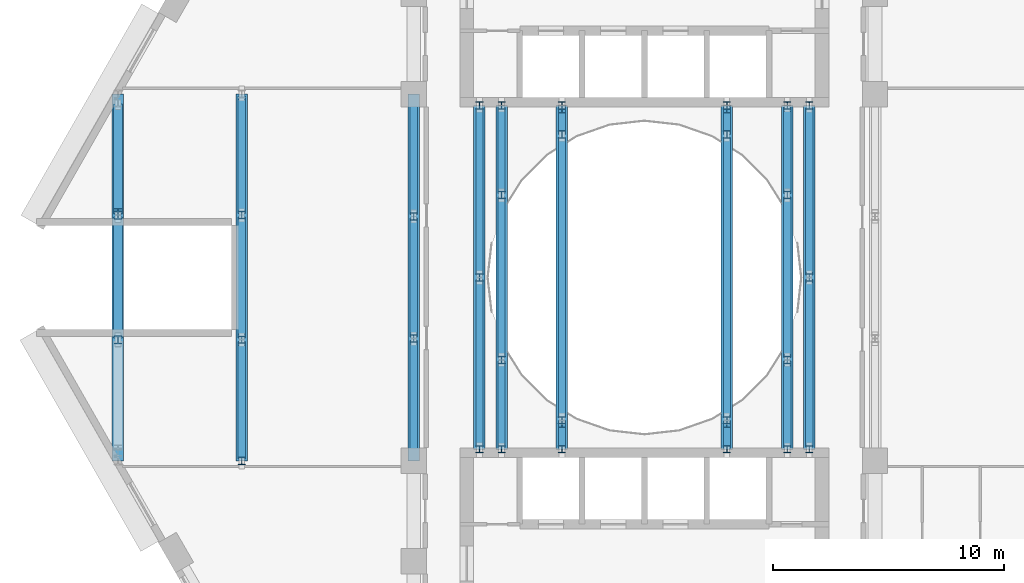
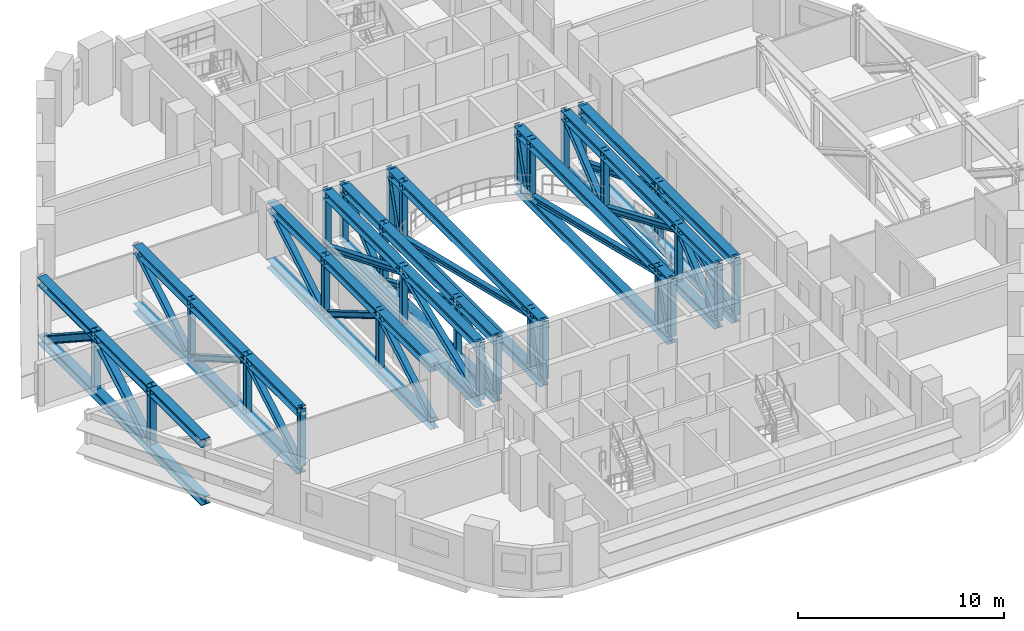
# One storey, part 2 of 18: 71 members.
"""IFC4 building model written with IfcOpenShell, lengths in metres."""

from ifc_helpers import new_model, si_unit, direction, frame, origin, origin_2d, place, context, subcontext, project, spatial, i_section, extrude, material, material_profile, profile_set, type_object, element, save


model = new_model("IFC4")

# Units and contexts
model_context = context("Model", 3, precision=1e-05, world=origin(), true_north=direction((0.0, 1.0)))
body_context = subcontext(model_context, "Body", "Model", "MODEL_VIEW")
ifc_project = project(units=[si_unit("LENGTHUNIT", "METRE"), si_unit("AREAUNIT", "SQUARE_METRE"), si_unit("VOLUMEUNIT", "CUBIC_METRE"), si_unit("PLANEANGLEUNIT", "RADIAN"), si_unit("MASSUNIT", "GRAM", prefix="KILO")], contexts=[model_context])

# Site, building, storey
site_placement = place(None, origin())
site = spatial("IfcSite", under=ifc_project, at=site_placement, CompositionType="ELEMENT")
building_placement = place(site_placement, origin())
building = spatial("IfcBuilding", under=site, at=building_placement, Name="Nakaniwa Court", CompositionType="ELEMENT")
storey_placement = place(building_placement, frame((0.0, 0.0, 38.10009765625)))
storey = spatial("IfcBuildingStorey", under=building, at=storey_placement, Name="L09", CompositionType="ELEMENT", Elevation=38.10009765625)

# Members
ifc_material = material(Name="Steel Grade 350", Category="steel")
ifc_material_profile_1 = material_profile(ifc_material, i_section(OverallWidth=0.5, OverallDepth=0.489990234375, WebThickness=0.02001953125, FlangeThickness=0.02001953125, at=origin_2d()), Name="500WC228")
ifc_profile_set_1 = profile_set([ifc_material_profile_1], Name="Steel Grade 350")
member_type_1 = type_object("IfcMemberType", Name="TRANSFER chord 500 WC228", PredefinedType="CHORD", material=ifc_profile_set_1)
for number, where, z_axis, x_axis, name in (
    (1, (62.5419921875, 72.050048828125, -0.64501953125), (0.0, 1.0, 0.0), (-1.0, 0.0, 0.0), "TRANSFER CHORD TT-02-B"),
    (2, (62.5419921875, 72.050048828125, 2.77978515625), (0.0, 1.0, 0.0), (-1.0, 0.0, 0.0), "TRANSFER CHORD TT-02-T"),
    (3, (70.0, 72.050048828125, -0.64501953125), (0.0, 1.0, 0.0), (-1.0, 0.0, 0.0), "TRANSFER CHORD TT-03-B"),
    (4, (70.0, 72.050048828125, 2.77978515625), (0.0, 1.0, 0.0), (-1.0, 0.0, 0.0), "TRANSFER CHORD TT-03-T"),
):
    element("IfcMember", number, at=place(storey_placement, frame(where, z_axis=z_axis, x_axis=x_axis)), inside=storey, type_object=member_type_1, Name=name, PredefinedType="CHORD", context=body_context, shape_type="SweptSolid", body=[
        extrude(i_section(OverallWidth=0.5, OverallDepth=0.489990234375, WebThickness=0.02001953125, FlangeThickness=0.02001953125, at=origin_2d()), origin(), (0.0, 0.0, 1.0), 15.89990234375),
    ])
for number, where, z_axis, x_axis, name in (
    (5, (72.85009765625, 72.550048828125, -0.64501953125), (0.0, 1.0, 0.0), (-1.0, 0.0, 0.0), "TRANSFER CHORD TT-04-B"),
    (6, (72.85009765625, 72.550048828125, 2.77978515625), (0.0, 1.0, 0.0), (-1.0, 0.0, 0.0), "TRANSFER CHORD TT-04-T"),
    (7, (73.807861328125, 72.550048828125, -0.64501953125), (0.0, 1.0, 0.0), (-1.0, 0.0, 0.0), "TRANSFER CHORD TT-05-B"),
    (8, (73.807861328125, 72.550048828125, 2.77978515625), (0.0, 1.0, 0.0), (-1.0, 0.0, 0.0), "TRANSFER CHORD TT-05-T"),
    (9, (76.425048828125, 72.550048828125, -0.64501953125), (0.0, 1.0, 0.0), (-1.0, 0.0, 0.0), "TRANSFER CHORD TT-06-B"),
    (10, (76.425048828125, 72.550048828125, 2.77978515625), (0.0, 1.0, 0.0), (-1.0, 0.0, 0.0), "TRANSFER CHORD TT-06-T"),
    (11, (83.574951171875, 72.550048828125, -0.64501953125), (0.0, 1.0, 0.0), (-1.0, 0.0, 0.0), "TRANSFER CHORD TT-07-B"),
    (12, (83.574951171875, 72.550048828125, 2.77978515625), (0.0, 1.0, 0.0), (-1.0, 0.0, 0.0), "TRANSFER CHORD TT-07-T"),
    (13, (86.192138671875, 72.550048828125, -0.64501953125), (0.0, 1.0, 0.0), (-1.0, 0.0, 0.0), "TRANSFER CHORD TT-08-B"),
    (14, (86.192138671875, 72.550048828125, 2.77978515625), (0.0, 1.0, 0.0), (-1.0, 0.0, 0.0), "TRANSFER CHORD TT-08-T"),
    (15, (87.14990234375, 72.550048828125, -0.64501953125), (0.0, 1.0, 0.0), (-1.0, 0.0, 0.0), "TRANSFER CHORD TT-09-B"),
    (16, (87.14990234375, 72.550048828125, 2.77978515625), (0.0, 1.0, 0.0), (-1.0, 0.0, 0.0), "TRANSFER CHORD TT-09-T"),
):
    element("IfcMember", number, at=place(storey_placement, frame(where, z_axis=z_axis, x_axis=x_axis)), inside=storey, type_object=member_type_1, Name=name, PredefinedType="CHORD", context=body_context, shape_type="SweptSolid", body=[
        extrude(i_section(OverallWidth=0.5, OverallDepth=0.489990234375, WebThickness=0.02001953125, FlangeThickness=0.02001953125, at=origin_2d()), origin(), (0.0, 0.0, 1.0), 14.89990234375),
    ])
ifc_material_profile_2 = material_profile(ifc_material, i_section(OverallWidth=0.5, OverallDepth=0.47998046875, WebThickness=0.0400390625, FlangeThickness=0.0400390625, at=origin_2d()), Name="500WC440")
ifc_profile_set_2 = profile_set([ifc_material_profile_2], Name="Steel Grade 350")
member_type_2 = type_object("IfcMemberType", Name="TRANSFER chord 500 WC440", PredefinedType="CHORD", material=ifc_profile_set_2)
for number, where, z_axis, x_axis, name in (
    (17, (57.177001953125, 72.050048828125, -0.64013671875), (0.0, 1.0, 0.0), (-1.0, 0.0, 0.0), "TRANSFER CHORD TT-01-B"),
    (18, (57.177001953125, 72.050048828125, 2.784912109375), (0.0, 1.0, 0.0), (-1.0, 0.0, 0.0), "TRANSFER CHORD TT-01-T"),
):
    element("IfcMember", number, at=place(storey_placement, frame(where, z_axis=z_axis, x_axis=x_axis)), inside=storey, type_object=member_type_2, Name=name, PredefinedType="CHORD", context=body_context, shape_type="SweptSolid", body=[
        extrude(i_section(OverallWidth=0.5, OverallDepth=0.47998046875, WebThickness=0.0400390625, FlangeThickness=0.0400390625, at=origin_2d()), origin(), (0.0, 0.0, 1.0), 15.89990234375),
    ])
ifc_material_profile_3 = material_profile(ifc_material, i_section(OverallWidth=0.31103515625, OverallDepth=0.326904296875, WebThickness=0.015625, FlangeThickness=0.02490234375, FilletRadius=0.0166015625, at=origin_2d()), Name="310UC158")
ifc_profile_set_3 = profile_set([ifc_material_profile_3], Name="Steel Grade 350")
member_type_3 = type_object("IfcMemberType", Name="TRANSFER diagonal 310 UC158", PredefinedType="BRACE", material=ifc_profile_set_3)
member_1_placement = place(storey_placement, frame((62.5419921875, 72.21044921875, -0.400146484375), z_axis=(0.0, 0.859204246042, 0.511632742876), x_axis=(-1.0, 0.0, 0.0)))
element("IfcMember", 19, at=member_1_placement, inside=storey, type_object=member_type_3, Name="TRANSFER DIAGONAL TT-02-D1", PredefinedType="BRACE", context=body_context, shape_type="SweptSolid", body=[
    extrude(i_section(OverallWidth=0.31103515625, OverallDepth=0.326904296875, WebThickness=0.015625, FlangeThickness=0.02490234375, FilletRadius=0.0166015625, at=origin_2d()), origin(), (0.0, 0.0, 1.0), 5.736572265625),
])
member_2_placement = place(storey_placement, frame((62.5419921875, 77.46044921875, 2.534912109375), z_axis=(0.0, 0.865830617694, -0.500337227741), x_axis=(-1.0, 0.0, 0.0)))
element("IfcMember", 20, at=member_2_placement, inside=storey, type_object=member_type_3, Name="TRANSFER DIAGONAL TT-02-D2", PredefinedType="BRACE", context=body_context, shape_type="SweptSolid", body=[
    extrude(i_section(OverallWidth=0.31103515625, OverallDepth=0.326904296875, WebThickness=0.015625, FlangeThickness=0.02490234375, FilletRadius=0.0166015625, at=origin_2d()), origin(), (0.0, 0.0, 1.0), 5.8662109375),
])
member_3_placement = place(storey_placement, frame((62.5419921875, 82.860595703125, -0.400146484375), z_axis=(0.0, 0.859204246042, 0.511632742876), x_axis=(-1.0, 0.0, 0.0)))
element("IfcMember", 21, at=member_3_placement, inside=storey, type_object=member_type_3, Name="TRANSFER DIAGONAL TT-02-D3", PredefinedType="BRACE", context=body_context, shape_type="SweptSolid", body=[
    extrude(i_section(OverallWidth=0.31103515625, OverallDepth=0.326904296875, WebThickness=0.015625, FlangeThickness=0.02490234375, FilletRadius=0.0166015625, at=origin_2d()), origin(), (0.0, 0.0, 1.0), 5.736572265625),
])
for number, where, z_axis, x_axis, name in (
    (22, (70.0, 72.21044921875, -0.400146484375), (0.0, 0.861462568117, 0.507821074527), (-1.0, 0.0, 0.0), "TRANSFER DIAGONAL TT-03-D1"),
    (23, (70.0, 77.510498046875, 2.534912109375), (0.0, 0.861462568117, -0.507821074527), (-1.0, 0.0, 0.0), "TRANSFER DIAGONAL TT-03-D2"),
    (24, (70.0, 82.810546875, -0.400146484375), (0.0, 0.861462568117, 0.507821074527), (-1.0, 0.0, 0.0), "TRANSFER DIAGONAL TT-03-D3"),
):
    element("IfcMember", number, at=place(storey_placement, frame(where, z_axis=z_axis, x_axis=x_axis)), inside=storey, type_object=member_type_3, Name=name, PredefinedType="BRACE", context=body_context, shape_type="SweptSolid", body=[
        extrude(i_section(OverallWidth=0.31103515625, OverallDepth=0.326904296875, WebThickness=0.015625, FlangeThickness=0.02490234375, FilletRadius=0.0166015625, at=origin_2d()), origin(), (0.0, 0.0, 1.0), 5.77978515625),
    ])
for number, where, z_axis, x_axis, name in (
    (25, (72.85009765625, 72.71044921875, -0.400146484375), (0.0, 0.924699739026, 0.380697245388), (-1.0, 0.0, 0.0), "TRANSFER DIAGONAL TT-04-D1"),
    (26, (72.85009765625, 80.160400390625, 2.534912109375), (0.0, 0.924699739026, -0.380697245388), (-1.0, 0.0, 0.0), "TRANSFER DIAGONAL TT-04-D2"),
):
    element("IfcMember", number, at=place(storey_placement, frame(where, z_axis=z_axis, x_axis=x_axis)), inside=storey, type_object=member_type_3, Name=name, PredefinedType="BRACE", context=body_context, shape_type="SweptSolid", body=[
        extrude(i_section(OverallWidth=0.31103515625, OverallDepth=0.326904296875, WebThickness=0.015625, FlangeThickness=0.02490234375, FilletRadius=0.0166015625, at=origin_2d()), origin(), (0.0, 0.0, 1.0), 7.709716796875),
    ])
member_4_placement = place(storey_placement, frame((73.807861328125, 72.71044921875, -0.400146484375), z_axis=(0.0, 0.771048813574, 0.636776041546), x_axis=(-1.0, 0.0, 0.0)))
element("IfcMember", 27, at=member_4_placement, inside=storey, type_object=member_type_3, Name="TRANSFER DIAGONAL TT-05-D1", PredefinedType="BRACE", context=body_context, shape_type="SweptSolid", body=[
    extrude(i_section(OverallWidth=0.31103515625, OverallDepth=0.326904296875, WebThickness=0.015625, FlangeThickness=0.02490234375, FilletRadius=0.0166015625, at=origin_2d()), origin(), (0.0, 0.0, 1.0), 4.609130859375),
])
member_5_placement = place(storey_placement, frame((73.807861328125, 76.58544921875, 2.534912109375), z_axis=(0.0, 0.918740212605, -0.394862535247), x_axis=(-1.0, 0.0, 0.0)))
element("IfcMember", 28, at=member_5_placement, inside=storey, type_object=member_type_3, Name="TRANSFER DIAGONAL TT-05-D2", PredefinedType="BRACE", context=body_context, shape_type="SweptSolid", body=[
    extrude(i_section(OverallWidth=0.31103515625, OverallDepth=0.326904296875, WebThickness=0.015625, FlangeThickness=0.02490234375, FilletRadius=0.0166015625, at=origin_2d()), origin(), (0.0, 0.0, 1.0), 7.43310546875),
])
member_6_placement = place(storey_placement, frame((73.807861328125, 83.735595703125, -0.400146484375), z_axis=(0.0, 0.771048813574, 0.636776041546), x_axis=(-1.0, 0.0, 0.0)))
element("IfcMember", 29, at=member_6_placement, inside=storey, type_object=member_type_3, Name="TRANSFER DIAGONAL TT-05-D3", PredefinedType="BRACE", context=body_context, shape_type="SweptSolid", body=[
    extrude(i_section(OverallWidth=0.31103515625, OverallDepth=0.326904296875, WebThickness=0.015625, FlangeThickness=0.02490234375, FilletRadius=0.0166015625, at=origin_2d()), origin(), (0.0, 0.0, 1.0), 4.609130859375),
])
member_7_placement = place(storey_placement, frame((76.425048828125, 72.71044921875, -0.400146484375), z_axis=(0.0, 0.304125859317, 0.952631860529), x_axis=(-1.0, 0.0, 0.0)))
element("IfcMember", 30, at=member_7_placement, inside=storey, type_object=member_type_3, Name="TRANSFER DIAGONAL TT-06-D1", PredefinedType="BRACE", context=body_context, shape_type="SweptSolid", body=[
    extrude(i_section(OverallWidth=0.31103515625, OverallDepth=0.326904296875, WebThickness=0.015625, FlangeThickness=0.02490234375, FilletRadius=0.0166015625, at=origin_2d()), origin(), (0.0, 0.0, 1.0), 3.0810546875),
])
member_8_placement = place(storey_placement, frame((76.425048828125, 73.968505859375, 2.534912109375), z_axis=(0.0, 0.971652465826, -0.236413801744), x_axis=(-1.0, 0.0, 0.0)))
element("IfcMember", 31, at=member_8_placement, inside=storey, type_object=member_type_3, Name="TRANSFER DIAGONAL TT-06-D2", PredefinedType="BRACE", context=body_context, shape_type="SweptSolid", body=[
    extrude(i_section(OverallWidth=0.31103515625, OverallDepth=0.326904296875, WebThickness=0.015625, FlangeThickness=0.02490234375, FilletRadius=0.0166015625, at=origin_2d()), origin(), (0.0, 0.0, 1.0), 12.4150390625),
])
for number, where, z_axis, x_axis, name in (
    (32, (76.425048828125, 86.3525390625, -0.400146484375), (0.0, 0.304125859317, 0.952631860529), (-1.0, 0.0, 0.0), "TRANSFER DIAGONAL TT-06-D3"),
    (33, (83.574951171875, 72.71044921875, -0.400146484375), (0.0, 0.304125859317, 0.952631860529), (-1.0, 0.0, 0.0), "TRANSFER DIAGONAL TT-07-D1"),
):
    element("IfcMember", number, at=place(storey_placement, frame(where, z_axis=z_axis, x_axis=x_axis)), inside=storey, type_object=member_type_3, Name=name, PredefinedType="BRACE", context=body_context, shape_type="SweptSolid", body=[
        extrude(i_section(OverallWidth=0.31103515625, OverallDepth=0.326904296875, WebThickness=0.015625, FlangeThickness=0.02490234375, FilletRadius=0.0166015625, at=origin_2d()), origin(), (0.0, 0.0, 1.0), 3.0810546875),
    ])
member_9_placement = place(storey_placement, frame((83.574951171875, 73.968505859375, 2.534912109375), z_axis=(0.0, 0.971652465826, -0.236413801744), x_axis=(-1.0, 0.0, 0.0)))
element("IfcMember", 34, at=member_9_placement, inside=storey, type_object=member_type_3, Name="TRANSFER DIAGONAL TT-07-D2", PredefinedType="BRACE", context=body_context, shape_type="SweptSolid", body=[
    extrude(i_section(OverallWidth=0.31103515625, OverallDepth=0.326904296875, WebThickness=0.015625, FlangeThickness=0.02490234375, FilletRadius=0.0166015625, at=origin_2d()), origin(), (0.0, 0.0, 1.0), 12.4150390625),
])
member_10_placement = place(storey_placement, frame((83.574951171875, 86.3525390625, -0.400146484375), z_axis=(0.0, 0.304125859317, 0.952631860529), x_axis=(-1.0, 0.0, 0.0)))
element("IfcMember", 35, at=member_10_placement, inside=storey, type_object=member_type_3, Name="TRANSFER DIAGONAL TT-07-D3", PredefinedType="BRACE", context=body_context, shape_type="SweptSolid", body=[
    extrude(i_section(OverallWidth=0.31103515625, OverallDepth=0.326904296875, WebThickness=0.015625, FlangeThickness=0.02490234375, FilletRadius=0.0166015625, at=origin_2d()), origin(), (0.0, 0.0, 1.0), 3.0810546875),
])
member_11_placement = place(storey_placement, frame((86.192138671875, 72.71044921875, -0.400146484375), z_axis=(0.0, 0.771048813574, 0.636776041546), x_axis=(-1.0, 0.0, 0.0)))
element("IfcMember", 36, at=member_11_placement, inside=storey, type_object=member_type_3, Name="TRANSFER DIAGONAL TT-08-D1", PredefinedType="BRACE", context=body_context, shape_type="SweptSolid", body=[
    extrude(i_section(OverallWidth=0.31103515625, OverallDepth=0.326904296875, WebThickness=0.015625, FlangeThickness=0.02490234375, FilletRadius=0.0166015625, at=origin_2d()), origin(), (0.0, 0.0, 1.0), 4.609130859375),
])
member_12_placement = place(storey_placement, frame((86.192138671875, 76.58544921875, 2.534912109375), z_axis=(0.0, 0.918740212605, -0.394862535247), x_axis=(-1.0, 0.0, 0.0)))
element("IfcMember", 37, at=member_12_placement, inside=storey, type_object=member_type_3, Name="TRANSFER DIAGONAL TT-08-D2", PredefinedType="BRACE", context=body_context, shape_type="SweptSolid", body=[
    extrude(i_section(OverallWidth=0.31103515625, OverallDepth=0.326904296875, WebThickness=0.015625, FlangeThickness=0.02490234375, FilletRadius=0.0166015625, at=origin_2d()), origin(), (0.0, 0.0, 1.0), 7.43310546875),
])
member_13_placement = place(storey_placement, frame((86.192138671875, 83.735595703125, -0.400146484375), z_axis=(0.0, 0.771048813574, 0.636776041546), x_axis=(-1.0, 0.0, 0.0)))
element("IfcMember", 38, at=member_13_placement, inside=storey, type_object=member_type_3, Name="TRANSFER DIAGONAL TT-08-D3", PredefinedType="BRACE", context=body_context, shape_type="SweptSolid", body=[
    extrude(i_section(OverallWidth=0.31103515625, OverallDepth=0.326904296875, WebThickness=0.015625, FlangeThickness=0.02490234375, FilletRadius=0.0166015625, at=origin_2d()), origin(), (0.0, 0.0, 1.0), 4.609130859375),
])
for number, where, z_axis, x_axis, name in (
    (39, (87.14990234375, 72.71044921875, -0.400146484375), (0.0, 0.924699739026, 0.380697245388), (-1.0, 0.0, 0.0), "TRANSFER DIAGONAL TT-09-D1"),
    (40, (87.14990234375, 80.160400390625, 2.534912109375), (0.0, 0.924699739026, -0.380697245388), (-1.0, 0.0, 0.0), "TRANSFER DIAGONAL TT-09-D2"),
):
    element("IfcMember", number, at=place(storey_placement, frame(where, z_axis=z_axis, x_axis=x_axis)), inside=storey, type_object=member_type_3, Name=name, PredefinedType="BRACE", context=body_context, shape_type="SweptSolid", body=[
        extrude(i_section(OverallWidth=0.31103515625, OverallDepth=0.326904296875, WebThickness=0.015625, FlangeThickness=0.02490234375, FilletRadius=0.0166015625, at=origin_2d()), origin(), (0.0, 0.0, 1.0), 7.709716796875),
    ])
ifc_material_profile_4 = material_profile(ifc_material, i_section(OverallWidth=0.39990234375, OverallDepth=0.429931640625, WebThickness=0.0400390625, FlangeThickness=0.0400390625, at=origin_2d()), Name="400WC361")
ifc_profile_set_4 = profile_set([ifc_material_profile_4], Name="Steel Grade 350")
member_type_4 = type_object("IfcMemberType", Name="TRANSFER diagonal 400 WC361", PredefinedType="BRACE", material=ifc_profile_set_4)
member_14_placement = place(storey_placement, frame((57.177001953125, 77.4775390625, -0.400146484375), z_axis=(0.0, 0.863615147142, 0.504151641501), x_axis=(-1.0, 0.0, 0.0)))
element("IfcMember", 41, at=member_14_placement, inside=storey, type_object=member_type_4, Name="TRANSFER DIAGONAL TT-01-D3", PredefinedType="BRACE", context=body_context, shape_type="SweptSolid", body=[
    extrude(i_section(OverallWidth=0.39990234375, OverallDepth=0.429931640625, WebThickness=0.0400390625, FlangeThickness=0.0400390625, at=origin_2d()), origin(), (0.0, 0.0, 1.0), 5.841552734375),
])
member_15_placement = place(storey_placement, frame((57.177001953125, 82.87744140625, 2.544921875), z_axis=(0.0, 0.837548419384, -0.546363107454), x_axis=(-1.0, 0.0, 0.0)))
element("IfcMember", 42, at=member_15_placement, inside=storey, type_object=member_type_4, Name="TRANSFER DIAGONAL TT-01-D4", PredefinedType="BRACE", context=body_context, shape_type="SweptSolid", body=[
    extrude(i_section(OverallWidth=0.39990234375, OverallDepth=0.429931640625, WebThickness=0.0400390625, FlangeThickness=0.0400390625, at=origin_2d()), origin(), (0.0, 0.0, 1.0), 5.390380859375),
])
ifc_material_profile_5 = material_profile(ifc_material, i_section(OverallWidth=0.30908203125, OverallDepth=0.321044921875, WebThickness=0.013916015625, FlangeThickness=0.021728515625, FilletRadius=0.0166015625, at=origin_2d()), Name="310UC137")
ifc_profile_set_5 = profile_set([ifc_material_profile_5], Name="Steel Grade 350")
member_type_5 = type_object("IfcMemberType", Name="TRANSFER post 310 UC137", PredefinedType="POST", material=ifc_profile_set_5)
for number, where, z_axis, x_axis, name in (
    (43, (62.5419921875, 72.050048828125, -0.400146484375), (0.0, 0.0, 1.0), (1.0, 0.0, 0.0), "TRANSFER POST TT-02-V1"),
    (44, (62.5419921875, 77.300048828125, -0.400146484375), (0.0, 0.0, 1.0), (1.0, 0.0, 0.0), "TRANSFER POST TT-02-V2"),
    (45, (62.5419921875, 82.699951171875, -0.400146484375), (0.0, 0.0, 1.0), (1.0, 0.0, 0.0), "TRANSFER POST TT-02-V3"),
    (46, (70.0, 77.35009765625, -0.400146484375), (0.0, 0.0, 1.0), (1.0, 0.0, 0.0), "TRANSFER POST TT-03-V2"),
    (47, (70.0, 82.64990234375, -0.400146484375), (0.0, 0.0, 1.0), (1.0, 0.0, 0.0), "TRANSFER POST TT-03-V3"),
    (48, (72.85009765625, 72.550048828125, -0.400146484375), (0.0, 0.0, 1.0), (1.0, 0.0, 0.0), "TRANSFER POST TT-04-V1"),
    (49, (72.85009765625, 80.0, -0.400146484375), (0.0, 0.0, 1.0), (1.0, 0.0, 0.0), "TRANSFER POST TT-04-V2"),
    (50, (72.85009765625, 87.449951171875, -0.400146484375), (0.0, 0.0, 1.0), (1.0, 0.0, 0.0), "TRANSFER POST TT-04-V3"),
    (51, (73.807861328125, 72.550048828125, -0.400146484375), (0.0, 0.0, 1.0), (1.0, 0.0, 0.0), "TRANSFER POST TT-05-V1"),
    (52, (73.807861328125, 76.425048828125, -0.400146484375), (0.0, 0.0, 1.0), (1.0, 0.0, 0.0), "TRANSFER POST TT-05-V2"),
    (53, (73.807861328125, 83.574951171875, -0.400146484375), (0.0, 0.0, 1.0), (1.0, 0.0, 0.0), "TRANSFER POST TT-05-V3"),
    (54, (73.807861328125, 87.449951171875, -0.400146484375), (0.0, 0.0, 1.0), (1.0, 0.0, 0.0), "TRANSFER POST TT-05-V4"),
    (55, (76.425048828125, 72.550048828125, -0.400146484375), (0.0, 0.0, 1.0), (1.0, 0.0, 0.0), "TRANSFER POST TT-06-V1"),
    (56, (76.425048828125, 73.807861328125, -0.400146484375), (0.0, 0.0, 1.0), (1.0, 0.0, 0.0), "TRANSFER POST TT-06-V2"),
    (57, (76.425048828125, 86.192138671875, -0.400146484375), (0.0, 0.0, 1.0), (1.0, 0.0, 0.0), "TRANSFER POST TT-06-V3"),
    (58, (76.425048828125, 87.449951171875, -0.400146484375), (0.0, 0.0, 1.0), (1.0, 0.0, 0.0), "TRANSFER POST TT-06-V4"),
    (59, (83.574951171875, 72.550048828125, -0.400146484375), (0.0, 0.0, 1.0), (1.0, 0.0, 0.0), "TRANSFER POST TT-07-V1"),
    (60, (83.574951171875, 73.807861328125, -0.400146484375), (0.0, 0.0, 1.0), (1.0, 0.0, 0.0), "TRANSFER POST TT-07-V2"),
    (61, (83.574951171875, 86.192138671875, -0.400146484375), (0.0, 0.0, 1.0), (1.0, 0.0, 0.0), "TRANSFER POST TT-07-V3"),
    (62, (83.574951171875, 87.449951171875, -0.400146484375), (0.0, 0.0, 1.0), (1.0, 0.0, 0.0), "TRANSFER POST TT-07-V4"),
    (63, (86.192138671875, 72.550048828125, -0.400146484375), (0.0, 0.0, 1.0), (1.0, 0.0, 0.0), "TRANSFER POST TT-08-V1"),
    (64, (86.192138671875, 76.425048828125, -0.400146484375), (0.0, 0.0, 1.0), (1.0, 0.0, 0.0), "TRANSFER POST TT-08-V2"),
    (65, (86.192138671875, 83.574951171875, -0.400146484375), (0.0, 0.0, 1.0), (1.0, 0.0, 0.0), "TRANSFER POST TT-08-V3"),
    (66, (86.192138671875, 87.449951171875, -0.400146484375), (0.0, 0.0, 1.0), (1.0, 0.0, 0.0), "TRANSFER POST TT-08-V4"),
    (67, (87.14990234375, 72.550048828125, -0.400146484375), (0.0, 0.0, 1.0), (1.0, 0.0, 0.0), "TRANSFER POST TT-09-V1"),
    (68, (87.14990234375, 80.0, -0.400146484375), (0.0, 0.0, 1.0), (1.0, 0.0, 0.0), "TRANSFER POST TT-09-V2"),
    (69, (87.14990234375, 87.449951171875, -0.400146484375), (0.0, 0.0, 1.0), (1.0, 0.0, 0.0), "TRANSFER POST TT-09-V3"),
):
    element("IfcMember", number, at=place(storey_placement, frame(where, z_axis=z_axis, x_axis=x_axis)), inside=storey, type_object=member_type_5, Name=name, PredefinedType="POST", context=body_context, shape_type="SweptSolid", body=[
        extrude(i_section(OverallWidth=0.30908203125, OverallDepth=0.321044921875, WebThickness=0.013916015625, FlangeThickness=0.021728515625, FilletRadius=0.0166015625, at=origin_2d()), origin(), (0.0, 0.0, 1.0), 3.425048828125),
    ])
ifc_material_profile_6 = material_profile(ifc_material, i_section(OverallWidth=0.35009765625, OverallDepth=0.35498046875, WebThickness=0.028076171875, FlangeThickness=0.0400390625, at=origin_2d()), Name="350WC280")
ifc_profile_set_6 = profile_set([ifc_material_profile_6], Name="Steel Grade 350")
member_type_6 = type_object("IfcMemberType", Name="TRANSFER post 350 WC280", PredefinedType="POST", material=ifc_profile_set_6)
for number, where, z_axis, x_axis, name in (
    (70, (57.177001953125, 77.300048828125, -0.400146484375), (0.0, 0.0, 1.0), (1.0, 0.0, 0.0), "TRANSFER POST TT-01-V3"),
    (71, (57.177001953125, 82.699951171875, -0.400146484375), (0.0, 0.0, 1.0), (1.0, 0.0, 0.0), "TRANSFER POST TT-01-V4"),
):
    element("IfcMember", number, at=place(storey_placement, frame(where, z_axis=z_axis, x_axis=x_axis)), inside=storey, type_object=member_type_6, Name=name, PredefinedType="POST", context=body_context, shape_type="SweptSolid", body=[
        extrude(i_section(OverallWidth=0.35009765625, OverallDepth=0.35498046875, WebThickness=0.028076171875, FlangeThickness=0.0400390625, at=origin_2d()), origin(), (0.0, 0.0, 1.0), 3.425048828125),
    ])

save(model, "model.ifc")
